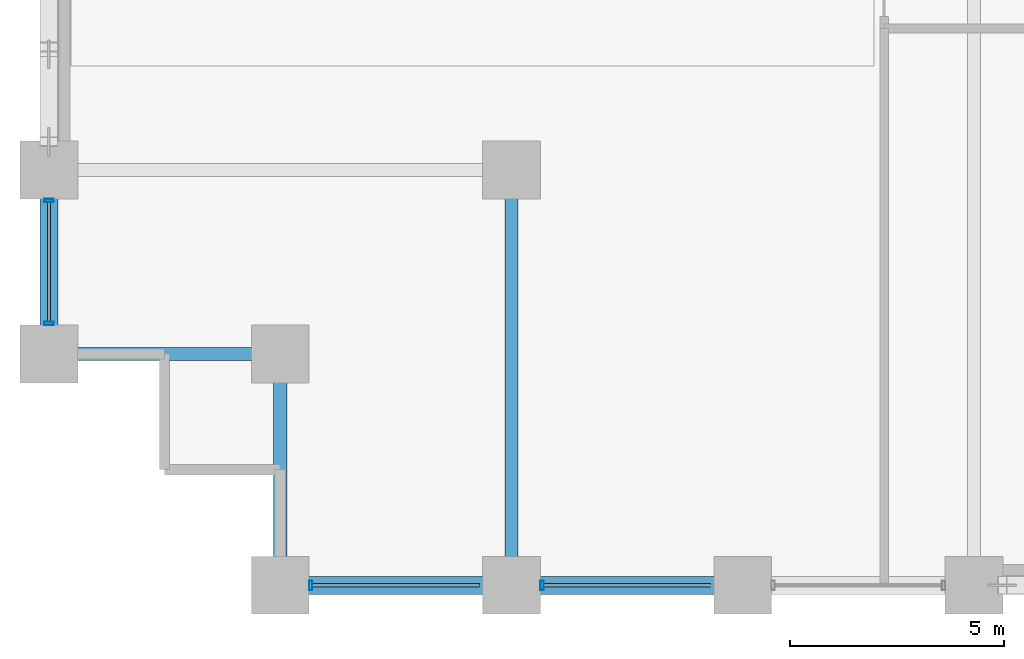
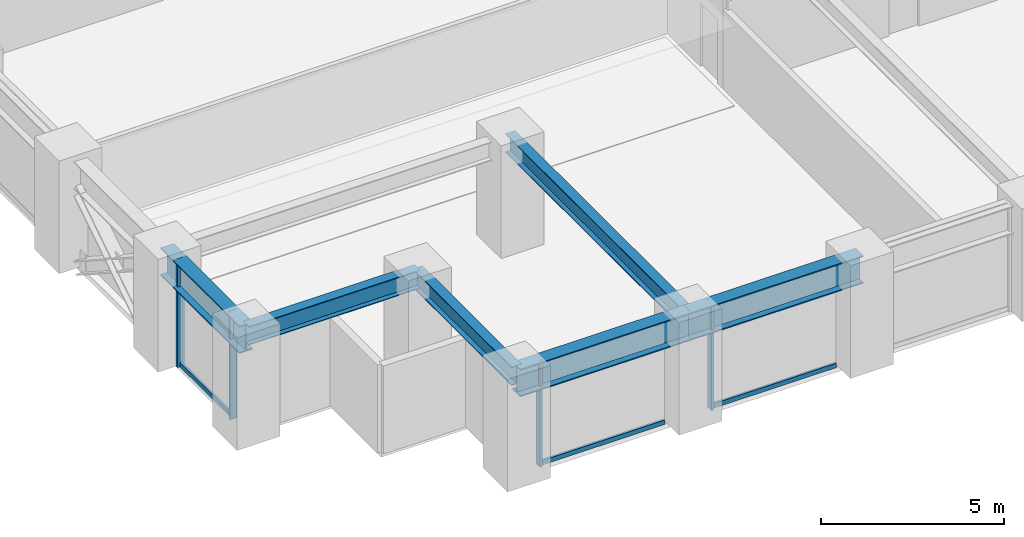
# One storey, part 2 of 25: 7 members, 6 beams, 2 elements without a shape of their own.
"""IFC4 building model written with IfcOpenShell, lengths in metres."""

from ifc_helpers import new_model, si_unit, direction, frame, origin, origin_2d, place, context, subcontext, project, spatial, hollow_rectangle, i_section, extrude, material, layer, layer_set, material_profile, profile_set, type_object, element, aggregate, save


model = new_model("IFC4")

# Units and contexts
model_context = context("Model", 3, precision=1e-05, world=origin(), true_north=direction((0.0, 1.0)))
body_context = subcontext(model_context, "Body", "Model", "MODEL_VIEW")
ifc_project = project(units=[si_unit("LENGTHUNIT", "METRE"), si_unit("AREAUNIT", "SQUARE_METRE"), si_unit("VOLUMEUNIT", "CUBIC_METRE"), si_unit("PLANEANGLEUNIT", "RADIAN"), si_unit("MASSUNIT", "GRAM", prefix="KILO")], contexts=[model_context])

# Site, building, storey
site_placement = place(None, origin())
site = spatial("IfcSite", under=ifc_project, at=site_placement, CompositionType="ELEMENT")
building_placement = place(site_placement, origin())
building = spatial("IfcBuilding", under=site, at=building_placement, Name="Surkhivell Harbour Commons", CompositionType="ELEMENT")
storey_placement = place(building_placement, frame((0.0, 0.0, 48.75)))
storey = spatial("IfcBuildingStorey", under=building, at=storey_placement, Name="L12", CompositionType="ELEMENT", Elevation=48.75)

# Beams
ifc_material_1 = material(Name="Steel S355", Category="steel")
ifc_material_profile_1 = material_profile(ifc_material_1, i_section(OverallWidth=0.306884765625, OverallDepth=0.6201171875, WebThickness=0.01416015625, FlangeThickness=0.023681640625, at=origin_2d()), Name="UB610x305x179")
ifc_profile_set_1 = profile_set([ifc_material_profile_1], Name="Steel S355")
beam_type_1 = type_object("IfcBeamType", Name="BM-GRD-610A", PredefinedType="BEAM", material=ifc_profile_set_1)
for number, where, z_axis, x_axis, name in (
    (1, (-32.39990234375, -20.5, 3.260009765625), (1.0, 0.0, 0.0), (0.0, 1.0, 0.0), "L12 Floor Girder (-32.4,-20.5)"),
    (2, (-27.0, -25.89990234375, 3.260009765625), (0.0, 1.0, 0.0), (-1.0, 0.0, 0.0), "L12 Floor Girder (-27.0,-25.9)"),
):
    element("IfcBeam", number, at=place(storey_placement, frame(where, z_axis=z_axis, x_axis=x_axis)), inside=storey, type_object=beam_type_1, Name=name, PredefinedType="BEAM", context=body_context, shape_type="SweptSolid", body=[
        extrude(i_section(OverallWidth=0.306884765625, OverallDepth=0.6201171875, WebThickness=0.01416015625, FlangeThickness=0.023681640625, at=origin_2d()), origin(), (0.0, 0.0, 1.0), 5.39990234375),
    ])
beam_1_placement = place(storey_placement, frame((-21.60009765625, -25.89990234375, 3.260009765625), z_axis=(0.0, 1.0, 0.0), x_axis=(-1.0, 0.0, 0.0)))
element("IfcBeam", 3, at=beam_1_placement, inside=storey, type_object=beam_type_1, Name="L12 Floor Girder (-21.6,-25.9)", PredefinedType="BEAM", context=body_context, shape_type="SweptSolid", body=[
    extrude(i_section(OverallWidth=0.306884765625, OverallDepth=0.6201171875, WebThickness=0.01416015625, FlangeThickness=0.023681640625, at=origin_2d()), origin(), (0.0, 0.0, 1.0), 9.699951171875),
])
ifc_material_2 = material(Name="Steel S460", Category="steel")
ifc_material_profile_2 = material_profile(ifc_material_2, i_section(OverallWidth=0.419921875, OverallDepth=0.9208984375, WebThickness=0.021484375, FlangeThickness=0.03662109375, at=origin_2d()), Name="UB914x419x388")
ifc_profile_set_2 = profile_set([ifc_material_profile_2], Name="Steel S460")
beam_type_2 = type_object("IfcBeamType", Name="BM-SPN-914A", PredefinedType="SPANDREL", material=ifc_profile_set_2)
beam_2_placement = place(storey_placement, frame((-32.39990234375, -20.5, 3.109619140625), z_axis=(0.0, 1.0, 0.0), x_axis=(-1.0, 0.0, 0.0)))
element("IfcBeam", 4, at=beam_2_placement, inside=storey, type_object=beam_type_2, Name="L12 Tube Spandrel (-32.4,-20.5)", PredefinedType="SPANDREL", context=body_context, shape_type="SweptSolid", body=[
    extrude(i_section(OverallWidth=0.419921875, OverallDepth=0.9208984375, WebThickness=0.021484375, FlangeThickness=0.03662109375, at=origin_2d()), origin(), (0.0, 0.0, 1.0), 4.300048828125),
])
beam_3_placement = place(storey_placement, frame((-27.0, -25.89990234375, 3.109619140625), z_axis=(1.0, 0.0, 0.0), x_axis=(0.0, 1.0, 0.0)))
element("IfcBeam", 5, at=beam_3_placement, inside=storey, type_object=beam_type_2, Name="L12 Tube Spandrel (-27.0,-25.9)", PredefinedType="SPANDREL", context=body_context, shape_type="SweptSolid", body=[
    extrude(i_section(OverallWidth=0.419921875, OverallDepth=0.9208984375, WebThickness=0.021484375, FlangeThickness=0.03662109375, at=origin_2d()), origin(), (0.0, 0.0, 1.0), 5.39990234375),
])
beam_4_placement = place(storey_placement, frame((-21.60009765625, -25.89990234375, 3.109619140625), z_axis=(1.0, 0.0, 0.0), x_axis=(0.0, 1.0, 0.0)))
element("IfcBeam", 6, at=beam_4_placement, inside=storey, type_object=beam_type_2, Name="L12 Tube Spandrel (-21.6,-25.9)", PredefinedType="SPANDREL", context=body_context, shape_type="SweptSolid", body=[
    extrude(i_section(OverallWidth=0.419921875, OverallDepth=0.9208984375, WebThickness=0.021484375, FlangeThickness=0.03662109375, at=origin_2d()), origin(), (0.0, 0.0, 1.0), 5.400146484375),
])

# Curtain wall, members
ifc_material_3 = material(Name="Anodised pale-metal aluminium and insulated glazing", Category="aluminium")
ifc_layer = layer(ifc_material_3, 0.219970703125)
ifc_layer_set = layer_set([ifc_layer], Name="Anodised pale-metal aluminium and insulated glazing")
curtain_wall_type = type_object("IfcCurtainWallType", Name="CW-SYS-Z1", PredefinedType="NOTDEFINED", material=ifc_layer_set)
curtain_wall_1_placement = place(storey_placement, origin())
curtain_wall_1 = element("IfcCurtainWall", 7, at=curtain_wall_1_placement, inside=storey, type_object=curtain_wall_type, Name="L12 Curtain Wall CW-L12-E00S1", PredefinedType="NOTDEFINED")
ifc_material_4 = material(Name="Anodised pale-metal aluminium alloy 6063-T6", Category="aluminium")
ifc_material_profile_3 = material_profile(ifc_material_4, hollow_rectangle(XDim=0.074951171875, YDim=0.219970703125, WallThickness=0.00390625, at=origin_2d()), Name="ALU-MULL-75x220")
ifc_profile_set_3 = profile_set([ifc_material_profile_3], Name="Anodised pale-metal aluminium alloy 6063-T6")
member_type_1 = type_object("IfcMemberType", Name="CWM-220", PredefinedType="MULLION", material=ifc_profile_set_3)
member_1_placement = place(storey_placement, frame((-26.285400390625, -25.89990234375, 0.0), z_axis=(0.0, 0.0, 1.0), x_axis=(1.0, 0.0, 0.0)))
member_1 = element("IfcMember", 8, at=member_1_placement, type_object=member_type_1, Name="CW-Z1 mullion 1", PredefinedType="MULLION", context=body_context, shape_type="SweptSolid", body=[
    extrude(hollow_rectangle(XDim=0.074951171875, YDim=0.219970703125, WallThickness=0.00390625, at=origin_2d()), origin(), (0.0, 0.0, 1.0), 3.570068359375),
])
member_2_placement = place(storey_placement, frame((-20.885498046875, -25.89990234375, 0.0), z_axis=(0.0, 0.0, 1.0), x_axis=(1.0, 0.0, 0.0)))
member_2 = element("IfcMember", 9, at=member_2_placement, type_object=member_type_1, Name="CW-Z1 mullion 2", PredefinedType="MULLION", context=body_context, shape_type="SweptSolid", body=[
    extrude(hollow_rectangle(XDim=0.074951171875, YDim=0.219970703125, WallThickness=0.00390625, at=origin_2d()), origin(), (0.0, 0.0, 1.0), 3.570068359375),
])

curtain_wall_2_placement = place(storey_placement, origin())
curtain_wall_2 = element("IfcCurtainWall", 10, at=curtain_wall_2_placement, inside=storey, type_object=curtain_wall_type, Name="L12 Curtain Wall CW-L12-E12S2", PredefinedType="NOTDEFINED")
member_3_placement = place(storey_placement, frame((-32.39990234375, -16.91455078125, 0.0), z_axis=(0.0, 0.0, 1.0), x_axis=(0.0, -1.0, 0.0)))
member_3 = element("IfcMember", 11, at=member_3_placement, type_object=member_type_1, Name="CW-Z1 mullion 1", PredefinedType="MULLION", context=body_context, shape_type="SweptSolid", body=[
    extrude(hollow_rectangle(XDim=0.074951171875, YDim=0.219970703125, WallThickness=0.00390625, at=origin_2d()), origin(), (0.0, 0.0, 1.0), 3.570068359375),
])
member_4_placement = place(storey_placement, frame((-32.39990234375, -19.785400390625, 0.0), z_axis=(0.0, 0.0, 1.0), x_axis=(0.0, -1.0, 0.0)))
member_4 = element("IfcMember", 12, at=member_4_placement, type_object=member_type_1, Name="CW-Z1 mullion 2", PredefinedType="MULLION", context=body_context, shape_type="SweptSolid", body=[
    extrude(hollow_rectangle(XDim=0.074951171875, YDim=0.219970703125, WallThickness=0.00390625, at=origin_2d()), origin(), (0.0, 0.0, 1.0), 3.570068359375),
])

# Member
ifc_material_profile_4 = material_profile(ifc_material_4, hollow_rectangle(XDim=0.074951171875, YDim=0.14990234375, WallThickness=0.00341796875, at=origin_2d()), Name="ALU-TRAN-75x150")
ifc_profile_set_4 = profile_set([ifc_material_profile_4], Name="Anodised pale-metal aluminium alloy 6063-T6")
member_type_2 = type_object("IfcMemberType", Name="CWT-150", PredefinedType="USERDEFINED", material=ifc_profile_set_4)
member_5_placement = place(storey_placement, frame((-26.248046875, -25.89990234375, 0.074951171875), z_axis=(1.0, 0.0, 0.0), x_axis=(0.0, 1.0, 0.0)))
member_5 = element("IfcMember", 13, at=member_5_placement, type_object=member_type_2, Name="CW-Z1 transom 1.1", ObjectType="TRANSOM", PredefinedType="USERDEFINED", context=body_context, shape_type="SweptSolid", body=[
    extrude(hollow_rectangle(XDim=0.074951171875, YDim=0.14990234375, WallThickness=0.00341796875, at=origin_2d()), origin(), (0.0, 0.0, 1.0), 3.89599609375),
])

member_6_placement = place(storey_placement, frame((-20.847900390625, -25.89990234375, 0.074951171875), z_axis=(1.0, 0.0, 0.0), x_axis=(0.0, 1.0, 0.0)))
member_6 = element("IfcMember", 14, at=member_6_placement, type_object=member_type_2, Name="CW-Z1 transom 2.1", ObjectType="TRANSOM", PredefinedType="USERDEFINED", context=body_context, shape_type="SweptSolid", body=[
    extrude(hollow_rectangle(XDim=0.074951171875, YDim=0.14990234375, WallThickness=0.00341796875, at=origin_2d()), origin(), (0.0, 0.0, 1.0), 3.89599609375),
])

aggregate(curtain_wall_1, [member_1, member_5, member_2, member_6])

member_7_placement = place(storey_placement, frame((-32.39990234375, -16.951904296875, 0.074951171875), z_axis=(0.0, -1.0, 0.0), x_axis=(1.0, 0.0, 0.0)))
member_7 = element("IfcMember", 15, at=member_7_placement, type_object=member_type_2, Name="CW-Z1 transom 1.1", ObjectType="TRANSOM", PredefinedType="USERDEFINED", context=body_context, shape_type="SweptSolid", body=[
    extrude(hollow_rectangle(XDim=0.074951171875, YDim=0.14990234375, WallThickness=0.00341796875, at=origin_2d()), origin(), (0.0, 0.0, 1.0), 2.796142578125),
])

aggregate(curtain_wall_2, [member_3, member_4, member_7])

save(model, "model.ifc")
